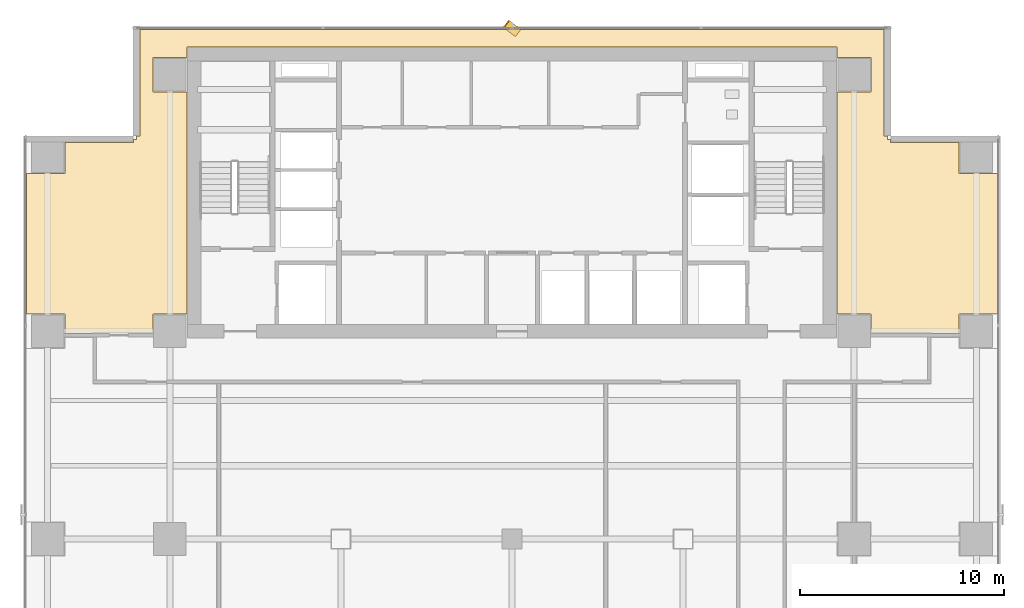
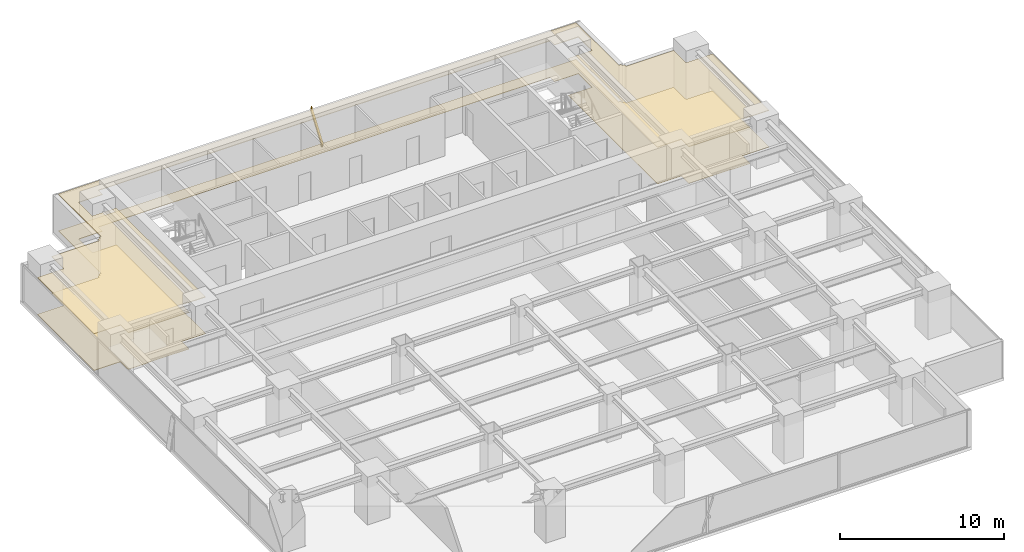
# One storey, part 25 of 27: 2 coverings, 1 shading device.
"""IFC4 building model written with IfcOpenShell, lengths in metres."""

from ifc_helpers import new_model, si_unit, direction, frame, origin, origin_2d, place, context, subcontext, project, spatial, polyline, rectangle, outline, extrude, source, transform, mapped, material, layer, layer_set, material_profile, profile_set, type_object, element, save


model = new_model("IFC4")

# Units and contexts
model_context = context("Model", 3, precision=1e-05, world=origin(), true_north=direction((0.0, 1.0)))
body_context = subcontext(model_context, "Body", "Model", "MODEL_VIEW")
ifc_project = project(units=[si_unit("LENGTHUNIT", "METRE"), si_unit("AREAUNIT", "SQUARE_METRE"), si_unit("VOLUMEUNIT", "CUBIC_METRE"), si_unit("PLANEANGLEUNIT", "RADIAN"), si_unit("MASSUNIT", "GRAM", prefix="KILO")], contexts=[model_context])

# Site, building, storey
site_placement = place(None, origin())
site = spatial("IfcSite", under=ifc_project, at=site_placement, CompositionType="ELEMENT")
building_placement = place(site_placement, origin())
building = spatial("IfcBuilding", under=site, at=building_placement, Name="Sumidabori Civic Tower", CompositionType="ELEMENT")
storey_placement = place(building_placement, frame((0.0, 0.0, 156.800048828125)))
storey = spatial("IfcBuildingStorey", under=building, at=storey_placement, Name="L40", CompositionType="ELEMENT", Elevation=156.800048828125)

# Coverings
ifc_material_1 = material(Name="Perforated Timber Acoustic Ceiling", Category="wood")
ifc_layer_1 = layer(ifc_material_1, 0.044921875, Name="Perforated Timber Acoustic Ceiling")
ifc_layer_set_1 = layer_set([ifc_layer_1], Name="Perforated Timber Acoustic Ceiling")
covering_type_1 = type_object("IfcCoveringType", Name="CV-CEIL-AC2", PredefinedType="CEILING", material=ifc_layer_set_1)
covering_1_placement = place(storey_placement, frame((0.0, 0.0, 2.72998046875)))
element("IfcCovering", 1, at=covering_1_placement, inside=storey, type_object=covering_type_1, Name="Room Acoustic Ceiling L40-01", PredefinedType="CEILING", context=body_context, shape_type="SweptSolid", body=[
    extrude(outline(polyline([(-23.830078125, 17.9599609375), (-21.9599609375, 17.9599609375), (-21.9599609375, 19.471923828125), (-18.592041015625, 19.471923828125), (-18.592041015625, 19.6298828125), (-18.429931640625, 19.6298828125), (-18.429931640625, 19.7919921875), (-18.27197265625, 19.7919921875), (-18.27197265625, 25.030029296875), (18.27197265625, 25.030029296875), (18.27197265625, 19.7919921875), (18.429931640625, 19.7919921875), (18.429931640625, 19.6298828125), (18.592041015625, 19.6298828125), (18.592041015625, 19.471923828125), (21.9599609375, 19.471923828125), (21.9599609375, 17.9599609375), (23.830078125, 17.9599609375), (23.830078125, 11.0400390625), (21.9599609375, 11.0400390625), (21.9599609375, 10.1025390625), (20.5849609375, 10.1025390625), (20.5849609375, 10.135009765625), (17.639892578125, 10.135009765625), (17.639892578125, 11.0400390625), (15.952880859375, 11.0400390625), (15.952880859375, 21.9599609375), (17.639892578125, 21.9599609375), (17.639892578125, 23.639892578125), (15.952880859375, 23.639892578125), (15.952880859375, 24.153076171875), (-15.952880859375, 24.153076171875), (-15.952880859375, 23.639892578125), (-17.639892578125, 23.639892578125), (-17.639892578125, 21.9599609375), (-15.952880859375, 21.9599609375), (-15.952880859375, 11.0400390625), (-17.639892578125, 11.0400390625), (-17.639892578125, 10.135009765625), (-20.5849609375, 10.135009765625), (-20.5849609375, 10.1025390625), (-21.9599609375, 10.1025390625), (-21.9599609375, 11.0400390625), (-23.830078125, 11.0400390625), (-23.830078125, 17.9599609375)])), origin(), (0.0, 0.0, 1.0), 0.044921875),
])
ifc_material_2 = material(Name="Honed Terrazzo Tile Flooring")
ifc_layer_2 = layer(ifc_material_2, 0.030029296875, Name="Honed Terrazzo Tile Flooring")
ifc_layer_set_2 = layer_set([ifc_layer_2], Name="Honed Terrazzo Tile Flooring")
covering_type_2 = type_object("IfcCoveringType", Name="CV-FLR-TER", PredefinedType="FLOORING", material=ifc_layer_set_2)
covering_2_placement = place(storey_placement, origin())
element("IfcCovering", 2, at=covering_2_placement, inside=storey, type_object=covering_type_2, Name="Room Terrazzo Floor L40-01", PredefinedType="FLOORING", context=body_context, shape_type="SweptSolid", body=[
    extrude(outline(polyline([(-23.830078125, 17.9599609375), (-21.9599609375, 17.9599609375), (-21.9599609375, 19.471923828125), (-18.592041015625, 19.471923828125), (-18.592041015625, 19.6298828125), (-18.429931640625, 19.6298828125), (-18.429931640625, 19.7919921875), (-18.27197265625, 19.7919921875), (-18.27197265625, 25.030029296875), (18.27197265625, 25.030029296875), (18.27197265625, 19.7919921875), (18.429931640625, 19.7919921875), (18.429931640625, 19.6298828125), (18.592041015625, 19.6298828125), (18.592041015625, 19.471923828125), (21.9599609375, 19.471923828125), (21.9599609375, 17.9599609375), (23.830078125, 17.9599609375), (23.830078125, 11.0400390625), (21.9599609375, 11.0400390625), (21.9599609375, 10.1025390625), (20.5849609375, 10.1025390625), (20.5849609375, 10.135009765625), (17.639892578125, 10.135009765625), (17.639892578125, 11.0400390625), (15.952880859375, 11.0400390625), (15.952880859375, 21.9599609375), (17.639892578125, 21.9599609375), (17.639892578125, 23.639892578125), (15.952880859375, 23.639892578125), (15.952880859375, 24.153076171875), (-15.952880859375, 24.153076171875), (-15.952880859375, 23.639892578125), (-17.639892578125, 23.639892578125), (-17.639892578125, 21.9599609375), (-15.952880859375, 21.9599609375), (-15.952880859375, 11.0400390625), (-17.639892578125, 11.0400390625), (-17.639892578125, 10.135009765625), (-20.5849609375, 10.135009765625), (-20.5849609375, 10.1025390625), (-21.9599609375, 10.1025390625), (-21.9599609375, 11.0400390625), (-23.830078125, 11.0400390625), (-23.830078125, 17.9599609375)])), origin(), (0.0, 0.0, 1.0), 0.030029296875),
])

# Shading device
ifc_material_3 = material(Name="Anodised Bronze Aluminium AW-6063-T6", Category="aluminium")
ifc_material_profile = material_profile(ifc_material_3, rectangle(XDim=0.06005859375, YDim=0.449951171875, at=origin_2d()), Name="BRONZE FIN 450x60")
ifc_profile_set = profile_set([ifc_material_profile], Name="Anodised Bronze Aluminium AW-6063-T6")
shading_device_type = type_object("IfcShadingDeviceType", Name="SH-FIN-450", PredefinedType="USERDEFINED", material=ifc_profile_set)
shared_shape = source(origin(), body_context, "Body", "SweptSolid", [
    extrude(rectangle(XDim=0.06005859375, YDim=0.449951171875, at=origin_2d()), origin(), (0.0, 0.0, 1.0), 2.789306640625),
])
shading_device_placement = place(storey_placement, frame((0.280029296875, 24.8701171875, 0.02001953125), z_axis=(-0.200794136335, 0.150551837182, 0.967995794998), x_axis=(0.774477654896, -0.580689436103, 0.250966413819)))
element("IfcShadingDevice", 3, at=shading_device_placement, inside=storey, type_object=shading_device_type, Name="Bronze Anodised Diagonal Fin L40-02", ObjectType="FIN", PredefinedType="USERDEFINED", context=body_context, shape_type="MappedRepresentation", body=[
    mapped(shared_shape, transform((0.0, 0.0, 0.0), x_axis=(1.0, 0.0, 0.0), y_axis=(0.0, 1.0, 0.0), z_axis=(0.0, 0.0, 1.0), scale=1.0)),
])

save(model, "model.ifc")
